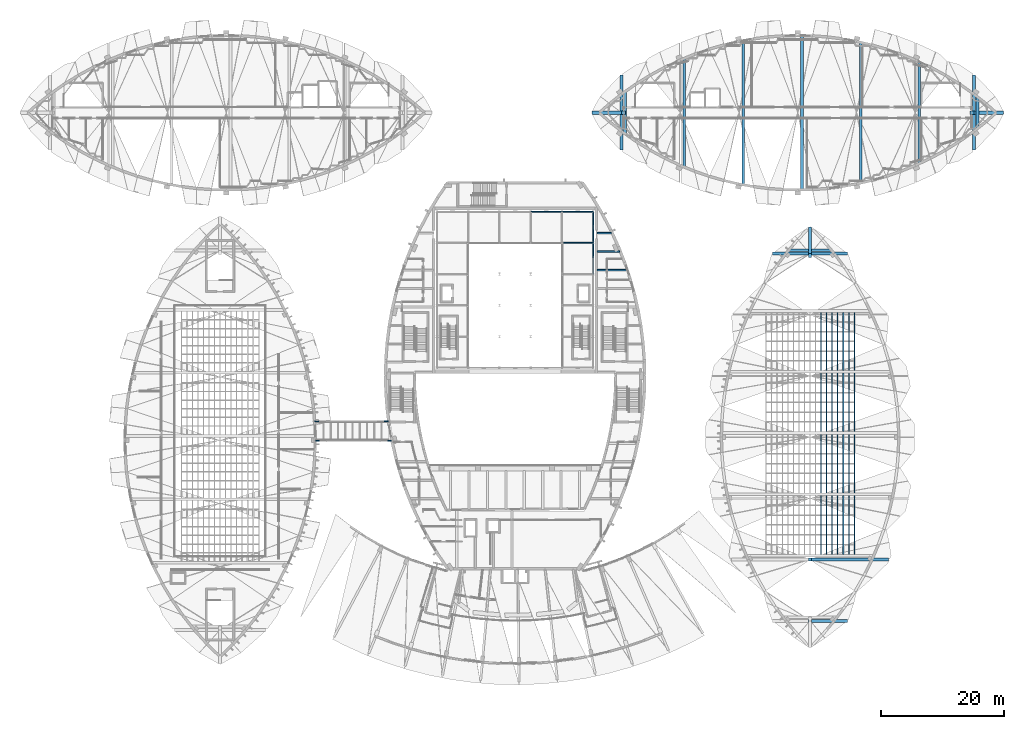
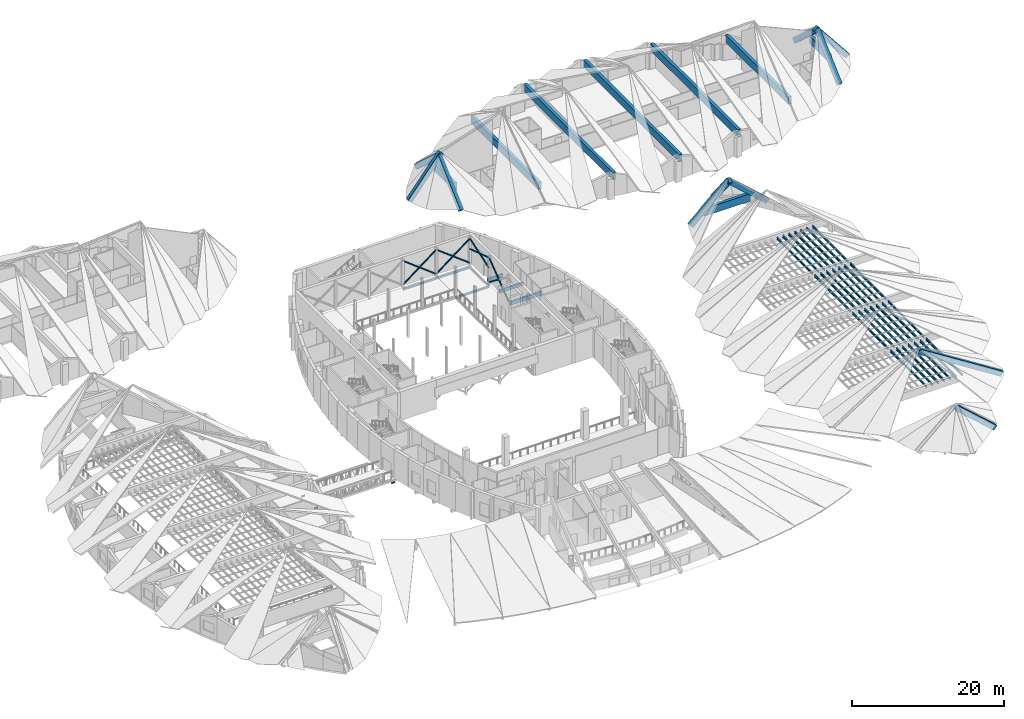
# One storey, part 20 of 56: 54 beams, 15 members.
"""IFC4 building model written with IfcOpenShell, lengths in metres."""

from ifc_helpers import new_model, si_unit, direction, frame, origin, origin_2d, place, context, subcontext, project, spatial, rectangle, hollow_circle, i_section, extrude, material, material_profile, profile_set, type_object, element, save


model = new_model("IFC4")

# Units and contexts
model_context = context("Model", 3, precision=1e-05, world=origin(), true_north=direction((0.0, 1.0)))
body_context = subcontext(model_context, "Body", "Model", "MODEL_VIEW")
ifc_project = project(units=[si_unit("LENGTHUNIT", "METRE"), si_unit("AREAUNIT", "SQUARE_METRE"), si_unit("VOLUMEUNIT", "CUBIC_METRE"), si_unit("PLANEANGLEUNIT", "RADIAN"), si_unit("MASSUNIT", "GRAM", prefix="KILO")], contexts=[model_context])

# Site, building, storey
site_placement = place(None, origin())
site = spatial("IfcSite", under=ifc_project, at=site_placement, CompositionType="ELEMENT")
building_placement = place(site_placement, origin())
building = spatial("IfcBuilding", under=site, at=building_placement, Name="Tide Square Theatres", CompositionType="ELEMENT")
storey_placement = place(building_placement, frame((0.0, 0.0, 10.199951171875)))
storey = spatial("IfcBuildingStorey", under=building, at=storey_placement, Name="L02", CompositionType="ELEMENT", Elevation=10.199951171875)

# Beams
ifc_material_1 = material(Name="Concrete C35", Category="concrete")
ifc_material_profile_1 = material_profile(ifc_material_1, rectangle(XDim=0.25, YDim=0.5, at=origin_2d()))
ifc_profile_set_1 = profile_set([ifc_material_profile_1], Name="Concrete C35")
beam_type_1 = type_object("IfcBeamType", Name="RC beam 250 x 500", PredefinedType="BEAM", material=ifc_profile_set_1)
beam_1_placement = place(storey_placement, frame((97.35009765625, 75.199951171875, -0.5), z_axis=(1.0, 0.0, 0.0), x_axis=(0.0, 1.0, 0.0)))
element("IfcBeam", 1, at=beam_1_placement, inside=storey, type_object=beam_type_1, Name="Floor beam", PredefinedType="BEAM", context=body_context, shape_type="SweptSolid", body=[
    extrude(rectangle(XDim=0.25, YDim=0.5, at=origin_2d()), origin(), (0.0, 0.0, 1.0), 3.663330078125),
])
beam_2_placement = place(storey_placement, frame((97.35009765625, 78.199951171875, -0.5), z_axis=(1.0, 0.0, 0.0), x_axis=(0.0, 1.0, 0.0)))
element("IfcBeam", 2, at=beam_2_placement, inside=storey, type_object=beam_type_1, Name="Floor beam", PredefinedType="BEAM", context=body_context, shape_type="SweptSolid", body=[
    extrude(rectangle(XDim=0.25, YDim=0.5, at=origin_2d()), origin(), (0.0, 0.0, 1.0), 2.335205078125),
])
ifc_material_2 = material(Name="Concrete C35", Category="concrete")
ifc_material_profile_2 = material_profile(ifc_material_2, rectangle(XDim=0.300048828125, YDim=0.60009765625, at=origin_2d()))
ifc_profile_set_2 = profile_set([ifc_material_profile_2], Name="Concrete C35")
beam_type_2 = type_object("IfcBeamType", Name="RC beam 300 x 600", PredefinedType="BEAM", material=ifc_profile_set_2)
beam_3_placement = place(storey_placement, frame((97.35009765625, 72.199951171875, -0.550048828125), z_axis=(1.0, 0.0, 0.0), x_axis=(0.0, 1.0, 0.0)))
element("IfcBeam", 3, at=beam_3_placement, inside=storey, type_object=beam_type_2, Name="Floor beam", PredefinedType="BEAM", context=body_context, shape_type="SweptSolid", body=[
    extrude(rectangle(XDim=0.300048828125, YDim=0.60009765625, at=origin_2d()), origin(), (0.0, 0.0, 1.0), 4.779052734375),
])
ifc_material_3 = material(Name="Concrete C40", Category="concrete")
ifc_material_profile_3 = material_profile(ifc_material_3, rectangle(XDim=0.449951171875, YDim=1.199951171875, at=origin_2d()))
ifc_profile_set_3 = profile_set([ifc_material_profile_3], Name="Concrete C40")
beam_type_3 = type_object("IfcBeamType", Name="RC eaves tie beam 450 x 1200", PredefinedType="BEAM", material=ifc_profile_set_3)
beam_4_placement = place(storey_placement, frame((135.486328125, 75.406982421875, 1.23828125), z_axis=(-1.0, 0.0, 0.0), x_axis=(0.0, -1.0, 0.0)))
element("IfcBeam", 4, at=beam_4_placement, inside=storey, type_object=beam_type_3, Name="Eaves tie beam blackbox 6", PredefinedType="BEAM", context=body_context, shape_type="SweptSolid", body=[
    extrude(rectangle(XDim=0.449951171875, YDim=1.199951171875, at=origin_2d()), origin(), (0.0, 0.0, 1.0), 6.97265625),
])
beam_5_placement = place(storey_placement, frame((101.8916015625, 94.387939453125, 3.09814453125), z_axis=(0.0, 1.0, 0.0), x_axis=(-1.0, 0.0, 0.0)))
element("IfcBeam", 5, at=beam_5_placement, inside=storey, type_object=beam_type_3, Name="Eaves tie beam rehearsal 0", PredefinedType="BEAM", context=body_context, shape_type="SweptSolid", body=[
    extrude(rectangle(XDim=0.449951171875, YDim=1.199951171875, at=origin_2d()), origin(), (0.0, 0.0, 1.0), 6.82421875),
])
beam_6_placement = place(storey_placement, frame((111.529052734375, 88.958740234375, 3.1064453125), z_axis=(0.0, 1.0, 0.0), x_axis=(-1.0, 0.0, 0.0)))
element("IfcBeam", 6, at=beam_6_placement, inside=storey, type_object=beam_type_3, Name="Eaves tie beam rehearsal 1", PredefinedType="BEAM", context=body_context, shape_type="SweptSolid", body=[
    extrude(rectangle(XDim=0.449951171875, YDim=1.199951171875, at=origin_2d()), origin(), (0.0, 0.0, 1.0), 17.6826171875),
])
beam_7_placement = place(storey_placement, frame((121.12939453125, 86.07421875, 3.10498046875), z_axis=(0.0, 1.0, 0.0), x_axis=(-1.0, 0.0, 0.0)))
element("IfcBeam", 7, at=beam_7_placement, inside=storey, type_object=beam_type_3, Name="Eaves tie beam rehearsal 2", PredefinedType="BEAM", context=body_context, shape_type="SweptSolid", body=[
    extrude(rectangle(XDim=0.449951171875, YDim=1.199951171875, at=origin_2d()), origin(), (0.0, 0.0, 1.0), 23.451416015625),
])
beam_8_placement = place(storey_placement, frame((130.69970703125, 85.248779296875, 3.100830078125), z_axis=(0.0, 1.0, 0.0), x_axis=(-1.0, 0.0, 0.0)))
element("IfcBeam", 8, at=beam_8_placement, inside=storey, type_object=beam_type_3, Name="Eaves tie beam rehearsal 3", PredefinedType="BEAM", context=body_context, shape_type="SweptSolid", body=[
    extrude(rectangle(XDim=0.449951171875, YDim=1.199951171875, at=origin_2d()), origin(), (0.0, 0.0, 1.0), 25.102294921875),
])
beam_9_placement = place(storey_placement, frame((140.24169921875, 86.35498046875, 3.09765625), z_axis=(0.0, 1.0, 0.0), x_axis=(-1.0, 0.0, 0.0)))
element("IfcBeam", 9, at=beam_9_placement, inside=storey, type_object=beam_type_3, Name="Eaves tie beam rehearsal 4", PredefinedType="BEAM", context=body_context, shape_type="SweptSolid", body=[
    extrude(rectangle(XDim=0.449951171875, YDim=1.199951171875, at=origin_2d()), origin(), (0.0, 0.0, 1.0), 22.89013671875),
])
beam_10_placement = place(storey_placement, frame((149.7529296875, 89.520263671875, 3.075439453125), z_axis=(0.0, 1.0, 0.0), x_axis=(-1.0, 0.0, 0.0)))
element("IfcBeam", 10, at=beam_10_placement, inside=storey, type_object=beam_type_3, Name="Eaves tie beam rehearsal 5", PredefinedType="BEAM", context=body_context, shape_type="SweptSolid", body=[
    extrude(rectangle(XDim=0.449951171875, YDim=1.199951171875, at=origin_2d()), origin(), (0.0, 0.0, 1.0), 16.559326171875),
])
beam_11_placement = place(storey_placement, frame((159.229248046875, 95.225830078125, 2.98486328125), z_axis=(0.0, 1.0, 0.0), x_axis=(-1.0, 0.0, 0.0)))
element("IfcBeam", 11, at=beam_11_placement, inside=storey, type_object=beam_type_3, Name="Eaves tie beam rehearsal 6", PredefinedType="BEAM", context=body_context, shape_type="SweptSolid", body=[
    extrude(rectangle(XDim=0.449951171875, YDim=1.199951171875, at=origin_2d()), origin(), (0.0, 0.0, 1.0), 5.1484375),
])
ifc_material_4 = material(Name="Concrete C40", Category="concrete")
ifc_material_profile_4 = material_profile(ifc_material_4, rectangle(XDim=0.5, YDim=0.800048828125, at=origin_2d()))
ifc_profile_set_4 = profile_set([ifc_material_profile_4], Name="Concrete C40")
beam_type_4 = type_object("IfcBeamType", Name="RC roof rib 500 x 800", PredefinedType="BEAM", material=ifc_profile_set_4)
beam_12_placement = place(storey_placement, frame((137.822265625, 15.125, 0.022216796875), z_axis=(-0.745301918978, 0.0, 0.666727117769), x_axis=(0.0, -1.0, 0.0)))
element("IfcBeam", 12, at=beam_12_placement, inside=storey, type_object=beam_type_4, Name="Roof rib blackbox R0", PredefinedType="BEAM", context=body_context, shape_type="SweptSolid", body=[
    extrude(rectangle(XDim=0.5, YDim=0.800048828125, at=origin_2d()), origin(), (0.0, 0.0, 1.0), 7.9013671875),
])
beam_13_placement = place(storey_placement, frame((144.577880859375, 25.083740234375, 0.272705078125), z_axis=(-0.844123465189, 0.0, 0.536148837093), x_axis=(0.0, -1.0, 0.0)))
element("IfcBeam", 13, at=beam_13_placement, inside=storey, type_object=beam_type_4, Name="Roof rib blackbox R1", PredefinedType="BEAM", context=body_context, shape_type="SweptSolid", body=[
    extrude(rectangle(XDim=0.5, YDim=0.800048828125, at=origin_2d()), origin(), (0.0, 0.0, 1.0), 14.91748046875),
])
for number, where, z_axis, x_axis, name in (
    (14, (137.822265625, 74.875, 0.140869140625), (-0.745301918978, 0.0, 0.666727117769), (0.0, -1.0, 0.0), "Roof rib blackbox R6"),
    (15, (126.177734375, 74.875, 0.140869140625), (0.745301918978, 0.0, 0.666727117769), (0.0, 1.0, 0.0), "Roof rib blackbox L6"),
):
    element("IfcBeam", number, at=place(storey_placement, frame(where, z_axis=z_axis, x_axis=x_axis)), inside=storey, type_object=beam_type_4, Name=name, PredefinedType="BEAM", context=body_context, shape_type="SweptSolid", body=[
        extrude(rectangle(XDim=0.5, YDim=0.800048828125, at=origin_2d()), origin(), (0.0, 0.0, 1.0), 7.9013671875),
    ])
for number, where, z_axis, x_axis, name in (
    (16, (101.31982421875, 91.964599609375, 0.92333984375), (0.0, 0.739686764471, 0.672951328453), (-1.0, 0.0, 0.0), "Roof rib rehearsal R0"),
    (17, (158.68017578125, 91.964599609375, 1.0537109375), (0.0, 0.739701988752, 0.672934594026), (-1.0, 0.0, 0.0), "Roof rib rehearsal R6"),
):
    element("IfcBeam", number, at=place(storey_placement, frame(where, z_axis=z_axis, x_axis=x_axis)), inside=storey, type_object=beam_type_4, Name=name, PredefinedType="BEAM", context=body_context, shape_type="SweptSolid", body=[
        extrude(rectangle(XDim=0.5, YDim=0.800048828125, at=origin_2d()), origin(), (0.0, 0.0, 1.0), 7.982421875),
    ])
beam_14_placement = place(storey_placement, frame((101.31982421875, 103.635498046875, 0.92333984375), z_axis=(0.0, -0.739700614616, 0.672936104498), x_axis=(1.0, 0.0, 0.0)))
element("IfcBeam", 18, at=beam_14_placement, inside=storey, type_object=beam_type_4, Name="Roof rib rehearsal L0", PredefinedType="BEAM", context=body_context, shape_type="SweptSolid", body=[
    extrude(rectangle(XDim=0.5, YDim=0.800048828125, at=origin_2d()), origin(), (0.0, 0.0, 1.0), 7.982666015625),
])
beam_15_placement = place(storey_placement, frame((158.68017578125, 103.635498046875, 1.0537109375), z_axis=(0.0, -0.739715838493, 0.672919369823), x_axis=(1.0, 0.0, 0.0)))
element("IfcBeam", 19, at=beam_15_placement, inside=storey, type_object=beam_type_4, Name="Roof rib rehearsal L6", PredefinedType="BEAM", context=body_context, shape_type="SweptSolid", body=[
    extrude(rectangle(XDim=0.5, YDim=0.800048828125, at=origin_2d()), origin(), (0.0, 0.0, 1.0), 7.982421875),
])
ifc_material_5 = material(Name="Concrete C40", Category="concrete")
ifc_material_profile_5 = material_profile(ifc_material_5, rectangle(XDim=0.5, YDim=0.800048828125, at=origin_2d()))
ifc_profile_set_5 = profile_set([ifc_material_profile_5], Name="Concrete C40")
beam_type_5 = type_object("IfcBeamType", Name="RC roof ridge beam 500 x 800", PredefinedType="BEAM", material=ifc_profile_set_5)
beam_16_placement = place(storey_placement, frame((132.0, 74.564697265625, 5.595458984375), z_axis=(0.0, 0.631561893264, -0.775325463903), x_axis=(-1.0, 0.0, 0.0)))
element("IfcBeam", 20, at=beam_16_placement, inside=storey, type_object=beam_type_5, Name="Hip beam blackbox", PredefinedType="BEAM", context=body_context, shape_type="SweptSolid", body=[
    extrude(rectangle(XDim=0.5, YDim=0.800048828125, at=origin_2d()), origin(), (0.0, 0.0, 1.0), 6.89990234375),
])
for number, where, z_axis, x_axis, name in (
    (21, (101.632568359375, 97.800048828125, 6.609375), (-0.623341681974, 0.0, -0.781949581184), (0.0, -1.0, 0.0), "Hip beam rehearsal"),
    (22, (158.367431640625, 97.800048828125, 6.609375), (0.623341681974, 0.0, -0.781949581184), (0.0, 1.0, 0.0), "Hip beam rehearsal"),
):
    element("IfcBeam", number, at=place(storey_placement, frame(where, z_axis=z_axis, x_axis=x_axis)), inside=storey, type_object=beam_type_5, Name=name, PredefinedType="BEAM", context=body_context, shape_type="SweptSolid", body=[
        extrude(rectangle(XDim=0.5, YDim=0.800048828125, at=origin_2d()), origin(), (0.0, 0.0, 1.0), 7.72705078125),
    ])
ifc_material_6 = material(Name="Steel ASTM A572 Grade 50", Category="steel")
ifc_material_profile_6 = material_profile(ifc_material_6, i_section(OverallWidth=0.1650390625, OverallDepth=0.31005859375, WebThickness=0.005859375, FlangeThickness=0.009765625, FilletRadius=0.010009765625, at=origin_2d()))
ifc_profile_set_6 = profile_set([ifc_material_profile_6], Name="Steel ASTM A572 Grade 50")
beam_type_6 = type_object("IfcBeamType", Name="Steel beam W 310 x 38.7", PredefinedType="BEAM", material=ifc_profile_set_6)
for number, where, z_axis, x_axis, name in (
    (23, (96.72412109375, 76.634521484375, -0.35498046875), (0.0, 1.0, 0.0), (-1.0, 0.0, 0.0), "Fly gallery beam"),
    (24, (91.634521484375, 76.634521484375, -0.35498046875), (1.0, 0.0, 0.0), (0.0, 1.0, 0.0), "Fly gallery cross beam"),
    (25, (91.634521484375, 81.72412109375, -0.35498046875), (1.0, 0.0, 0.0), (0.0, 1.0, 0.0), "Fly gallery cross beam"),
    (26, (86.544921875, 81.72412109375, -0.35498046875), (1.0, 0.0, 0.0), (0.0, 1.0, 0.0), "Fly gallery beam"),
):
    element("IfcBeam", number, at=place(storey_placement, frame(where, z_axis=z_axis, x_axis=x_axis)), inside=storey, type_object=beam_type_6, Name=name, PredefinedType="BEAM", context=body_context, shape_type="SweptSolid", body=[
        extrude(i_section(OverallWidth=0.1650390625, OverallDepth=0.31005859375, WebThickness=0.005859375, FlangeThickness=0.009765625, FilletRadius=0.010009765625, at=origin_2d()), origin(), (0.0, 0.0, 1.0), 5.089599609375),
    ])
ifc_material_7 = material(Name="Steel ASTM A572 Grade 50", Category="steel")
ifc_material_profile_7 = material_profile(ifc_material_7, i_section(OverallWidth=0.1708984375, OverallDepth=0.35498046875, WebThickness=0.007080078125, FlangeThickness=0.01171875, FilletRadius=0.011962890625, at=origin_2d()))
ifc_profile_set_7 = profile_set([ifc_material_profile_7], Name="Steel ASTM A572 Grade 50")
beam_type_7 = type_object("IfcBeamType", Name="Steel beam W 360 x 51.0", PredefinedType="BEAM", material=ifc_profile_set_7)
for number, where, z_axis, x_axis, name in (
    (27, (139.199951171875, 25.952880859375, 1.320556640625), (0.0, 1.0, 0.0), (-1.0, 0.0, 0.0), "Black Box Theatre rigging grid girder"),
    (28, (138.300048828125, 25.952880859375, 1.320556640625), (0.0, 1.0, 0.0), (-1.0, 0.0, 0.0), "Black Box Theatre rigging grid girder"),
    (29, (137.39990234375, 25.952880859375, 1.320556640625), (0.0, 1.0, 0.0), (-1.0, 0.0, 0.0), "Black Box Theatre rigging grid girder"),
    (30, (136.5, 25.952880859375, 1.320556640625), (0.0, 1.0, 0.0), (-1.0, 0.0, 0.0), "Black Box Theatre rigging grid girder"),
    (31, (135.60009765625, 25.952880859375, 1.320556640625), (0.0, 1.0, 0.0), (-1.0, 0.0, 0.0), "Black Box Theatre rigging grid girder"),
    (32, (134.699951171875, 25.952880859375, 1.320556640625), (0.0, 1.0, 0.0), (-1.0, 0.0, 0.0), "Black Box Theatre rigging grid girder"),
    (33, (133.800048828125, 25.952880859375, 1.320556640625), (0.0, 1.0, 0.0), (-1.0, 0.0, 0.0), "Black Box Theatre rigging grid girder"),
):
    element("IfcBeam", number, at=place(storey_placement, frame(where, z_axis=z_axis, x_axis=x_axis)), inside=storey, type_object=beam_type_7, Name=name, PredefinedType="BEAM", context=body_context, shape_type="SweptSolid", body=[
        extrude(i_section(OverallWidth=0.1708984375, OverallDepth=0.35498046875, WebThickness=0.007080078125, FlangeThickness=0.01171875, FilletRadius=0.011962890625, at=origin_2d()), origin(), (0.0, 0.0, 1.0), 9.552001953125),
    ])
for number, where, z_axis, x_axis, name in (
    (34, (139.199951171875, 35.955078125, 1.316650390625), (0.0, 1.0, 0.0), (-1.0, 0.0, 0.0), "Black Box Theatre rigging grid girder"),
    (35, (138.300048828125, 35.955078125, 1.316650390625), (0.0, 1.0, 0.0), (-1.0, 0.0, 0.0), "Black Box Theatre rigging grid girder"),
    (36, (137.39990234375, 35.955078125, 1.316650390625), (0.0, 1.0, 0.0), (-1.0, 0.0, 0.0), "Black Box Theatre rigging grid girder"),
    (37, (136.5, 35.955078125, 1.316650390625), (0.0, 1.0, 0.0), (-1.0, 0.0, 0.0), "Black Box Theatre rigging grid girder"),
    (38, (135.60009765625, 35.955078125, 1.316650390625), (0.0, 1.0, 0.0), (-1.0, 0.0, 0.0), "Black Box Theatre rigging grid girder"),
    (39, (134.699951171875, 35.955078125, 1.316650390625), (0.0, 1.0, 0.0), (-1.0, 0.0, 0.0), "Black Box Theatre rigging grid girder"),
    (40, (133.800048828125, 35.955078125, 1.316650390625), (0.0, 1.0, 0.0), (-1.0, 0.0, 0.0), "Black Box Theatre rigging grid girder"),
):
    element("IfcBeam", number, at=place(storey_placement, frame(where, z_axis=z_axis, x_axis=x_axis)), inside=storey, type_object=beam_type_7, Name=name, PredefinedType="BEAM", context=body_context, shape_type="SweptSolid", body=[
        extrude(i_section(OverallWidth=0.1708984375, OverallDepth=0.35498046875, WebThickness=0.007080078125, FlangeThickness=0.01171875, FilletRadius=0.011962890625, at=origin_2d()), origin(), (0.0, 0.0, 1.0), 9.519775390625),
    ])
for number, where, z_axis, x_axis, name in (
    (41, (139.199951171875, 45.9248046875, 1.3134765625), (0.0, 1.0, 0.0), (-1.0, 0.0, 0.0), "Black Box Theatre rigging grid girder"),
    (42, (138.300048828125, 45.9248046875, 1.3134765625), (0.0, 1.0, 0.0), (-1.0, 0.0, 0.0), "Black Box Theatre rigging grid girder"),
    (43, (137.39990234375, 45.9248046875, 1.3134765625), (0.0, 1.0, 0.0), (-1.0, 0.0, 0.0), "Black Box Theatre rigging grid girder"),
    (44, (136.5, 45.9248046875, 1.3134765625), (0.0, 1.0, 0.0), (-1.0, 0.0, 0.0), "Black Box Theatre rigging grid girder"),
    (45, (135.60009765625, 45.9248046875, 1.3134765625), (0.0, 1.0, 0.0), (-1.0, 0.0, 0.0), "Black Box Theatre rigging grid girder"),
    (46, (134.699951171875, 45.9248046875, 1.3134765625), (0.0, 1.0, 0.0), (-1.0, 0.0, 0.0), "Black Box Theatre rigging grid girder"),
    (47, (133.800048828125, 45.9248046875, 1.3134765625), (0.0, 1.0, 0.0), (-1.0, 0.0, 0.0), "Black Box Theatre rigging grid girder"),
):
    element("IfcBeam", number, at=place(storey_placement, frame(where, z_axis=z_axis, x_axis=x_axis)), inside=storey, type_object=beam_type_7, Name=name, PredefinedType="BEAM", context=body_context, shape_type="SweptSolid", body=[
        extrude(i_section(OverallWidth=0.1708984375, OverallDepth=0.35498046875, WebThickness=0.007080078125, FlangeThickness=0.01171875, FilletRadius=0.011962890625, at=origin_2d()), origin(), (0.0, 0.0, 1.0), 9.48876953125),
    ])
for number, where, z_axis, x_axis, name in (
    (48, (139.199951171875, 55.863525390625, 1.3046875), (0.0, 1.0, 0.0), (-1.0, 0.0, 0.0), "Black Box Theatre rigging grid girder"),
    (49, (138.300048828125, 55.863525390625, 1.3046875), (0.0, 1.0, 0.0), (-1.0, 0.0, 0.0), "Black Box Theatre rigging grid girder"),
    (50, (137.39990234375, 55.863525390625, 1.3046875), (0.0, 1.0, 0.0), (-1.0, 0.0, 0.0), "Black Box Theatre rigging grid girder"),
    (51, (136.5, 55.863525390625, 1.3046875), (0.0, 1.0, 0.0), (-1.0, 0.0, 0.0), "Black Box Theatre rigging grid girder"),
    (52, (135.60009765625, 55.863525390625, 1.3046875), (0.0, 1.0, 0.0), (-1.0, 0.0, 0.0), "Black Box Theatre rigging grid girder"),
    (53, (134.699951171875, 55.863525390625, 1.3046875), (0.0, 1.0, 0.0), (-1.0, 0.0, 0.0), "Black Box Theatre rigging grid girder"),
    (54, (133.800048828125, 55.863525390625, 1.3046875), (0.0, 1.0, 0.0), (-1.0, 0.0, 0.0), "Black Box Theatre rigging grid girder"),
):
    element("IfcBeam", number, at=place(storey_placement, frame(where, z_axis=z_axis, x_axis=x_axis)), inside=storey, type_object=beam_type_7, Name=name, PredefinedType="BEAM", context=body_context, shape_type="SweptSolid", body=[
        extrude(i_section(OverallWidth=0.1708984375, OverallDepth=0.35498046875, WebThickness=0.007080078125, FlangeThickness=0.01171875, FilletRadius=0.011962890625, at=origin_2d()), origin(), (0.0, 0.0, 1.0), 9.454833984375),
    ])

# Members
ifc_material_8 = material(Name="Steel ASTM A500 Grade C", Category="steel")
ifc_material_profile_8 = material_profile(ifc_material_8, hollow_circle(Radius=0.109619140625, WallThickness=0.010009765625, at=origin_2d()))
ifc_profile_set_8 = profile_set([ifc_material_profile_8], Name="Steel ASTM A500 Grade C")
member_type_1 = type_object("IfcMemberType", Name="Steel brace CHS 219.1 x 10.0", PredefinedType="BRACE", material=ifc_profile_set_8)
member_1_placement = place(storey_placement, frame((86.544921875, 81.72412109375, 0.35009765625), z_axis=(0.793766284219, 0.0, 0.60822289174), x_axis=(0.0, 1.0, 0.0)))
element("IfcMember", 55, at=member_1_placement, inside=storey, type_object=member_type_1, Name="Fly tower brace", PredefinedType="BRACE", context=body_context, shape_type="SweptSolid", body=[
    extrude(hollow_circle(Radius=0.109619140625, WallThickness=0.010009765625, at=origin_2d()), origin(), (0.0, 0.0, 1.0), 6.411865234375),
])
member_2_placement = place(storey_placement, frame((91.634521484375, 81.72412109375, 0.35009765625), z_axis=(-0.793809605674, 0.0, 0.608166350549), x_axis=(0.0, -1.0, 0.0)))
element("IfcMember", 56, at=member_2_placement, inside=storey, type_object=member_type_1, Name="Fly tower brace", PredefinedType="BRACE", context=body_context, shape_type="SweptSolid", body=[
    extrude(hollow_circle(Radius=0.109619140625, WallThickness=0.010009765625, at=origin_2d()), origin(), (0.0, 0.0, 1.0), 3.073486328125),
])
member_3_placement = place(storey_placement, frame((88.984375, 81.72412109375, 2.380859375), z_axis=(-0.793780221985, 0.0, 0.608204701713), x_axis=(0.0, -1.0, 0.0)))
element("IfcMember", 57, at=member_3_placement, inside=storey, type_object=member_type_1, Name="Fly tower brace", PredefinedType="BRACE", context=body_context, shape_type="SweptSolid", body=[
    extrude(hollow_circle(Radius=0.109619140625, WallThickness=0.010009765625, at=origin_2d()), origin(), (0.0, 0.0, 1.0), 3.0732421875),
])
member_4_placement = place(storey_placement, frame((91.634521484375, 81.72412109375, 0.35009765625), z_axis=(0.793766284219, 0.0, 0.60822289174), x_axis=(0.0, 1.0, 0.0)))
element("IfcMember", 58, at=member_4_placement, inside=storey, type_object=member_type_1, Name="Fly tower brace", PredefinedType="BRACE", context=body_context, shape_type="SweptSolid", body=[
    extrude(hollow_circle(Radius=0.109619140625, WallThickness=0.010009765625, at=origin_2d()), origin(), (0.0, 0.0, 1.0), 6.411865234375),
])
member_5_placement = place(storey_placement, frame((96.72412109375, 81.72412109375, 0.35009765625), z_axis=(-0.793809605674, 0.0, 0.608166350549), x_axis=(0.0, -1.0, 0.0)))
element("IfcMember", 59, at=member_5_placement, inside=storey, type_object=member_type_1, Name="Fly tower brace", PredefinedType="BRACE", context=body_context, shape_type="SweptSolid", body=[
    extrude(hollow_circle(Radius=0.109619140625, WallThickness=0.010009765625, at=origin_2d()), origin(), (0.0, 0.0, 1.0), 3.073486328125),
])
member_6_placement = place(storey_placement, frame((94.073974609375, 81.72412109375, 2.380859375), z_axis=(-0.793780221985, 0.0, 0.608204701713), x_axis=(0.0, -1.0, 0.0)))
element("IfcMember", 60, at=member_6_placement, inside=storey, type_object=member_type_1, Name="Fly tower brace", PredefinedType="BRACE", context=body_context, shape_type="SweptSolid", body=[
    extrude(hollow_circle(Radius=0.109619140625, WallThickness=0.010009765625, at=origin_2d()), origin(), (0.0, 0.0, 1.0), 3.0732421875),
])
member_7_placement = place(storey_placement, frame((96.72412109375, 71.544921875, 0.35009765625), z_axis=(0.0, 0.793766284219, 0.60822289174), x_axis=(-1.0, 0.0, 0.0)))
element("IfcMember", 61, at=member_7_placement, inside=storey, type_object=member_type_1, Name="Fly tower brace", PredefinedType="BRACE", context=body_context, shape_type="SweptSolid", body=[
    extrude(hollow_circle(Radius=0.109619140625, WallThickness=0.010009765625, at=origin_2d()), origin(), (0.0, 0.0, 1.0), 6.411865234375),
])
member_8_placement = place(storey_placement, frame((96.72412109375, 76.634521484375, 0.35009765625), z_axis=(0.0, -0.793809605674, 0.608166350549), x_axis=(1.0, 0.0, 0.0)))
element("IfcMember", 62, at=member_8_placement, inside=storey, type_object=member_type_1, Name="Fly tower brace", PredefinedType="BRACE", context=body_context, shape_type="SweptSolid", body=[
    extrude(hollow_circle(Radius=0.109619140625, WallThickness=0.010009765625, at=origin_2d()), origin(), (0.0, 0.0, 1.0), 3.073486328125),
])
member_9_placement = place(storey_placement, frame((96.72412109375, 76.634521484375, 2.60009765625), z_axis=(0.0, 0.951265515207, 0.308373020184), x_axis=(-1.0, 0.0, 0.0)))
element("IfcMember", 63, at=member_9_placement, inside=storey, type_object=member_type_1, Name="Fly tower brace", PredefinedType="BRACE", context=body_context, shape_type="SweptSolid", body=[
    extrude(hollow_circle(Radius=0.109619140625, WallThickness=0.010009765625, at=origin_2d()), origin(), (0.0, 0.0, 1.0), 5.350341796875),
])
member_10_placement = place(storey_placement, frame((96.72412109375, 81.72412109375, 2.60009765625), z_axis=(0.0, -0.951273206238, 0.308349293974), x_axis=(1.0, 0.0, 0.0)))
element("IfcMember", 64, at=member_10_placement, inside=storey, type_object=member_type_1, Name="Fly tower brace", PredefinedType="BRACE", context=body_context, shape_type="SweptSolid", body=[
    extrude(hollow_circle(Radius=0.109619140625, WallThickness=0.010009765625, at=origin_2d()), origin(), (0.0, 0.0, 1.0), 2.42041015625),
])
member_11_placement = place(storey_placement, frame((96.72412109375, 78.936767578125, 3.503662109375), z_axis=(0.0, -0.95126361453, 0.30837888331), x_axis=(1.0, 0.0, 0.0)))
element("IfcMember", 65, at=member_11_placement, inside=storey, type_object=member_type_1, Name="Fly tower brace", PredefinedType="BRACE", context=body_context, shape_type="SweptSolid", body=[
    extrude(hollow_circle(Radius=0.109619140625, WallThickness=0.010009765625, at=origin_2d()), origin(), (0.0, 0.0, 1.0), 2.420166015625),
])
ifc_material_9 = material(Name="Steel ASTM A572 Grade 50", Category="steel")
ifc_material_profile_9 = material_profile(ifc_material_9, i_section(OverallWidth=0.14599609375, OverallDepth=0.258056640625, WebThickness=0.006103515625, FlangeThickness=0.009033203125, FilletRadius=0.010009765625, at=origin_2d()))
ifc_profile_set_9 = profile_set([ifc_material_profile_9], Name="Steel ASTM A572 Grade 50")
member_type_2 = type_object("IfcMemberType", Name="Steel seat bracket W 250 x 32.7", PredefinedType="MEMBER", material=ifc_profile_set_9)
member_12_placement = place(storey_placement, frame((51.540283203125, 44.39990234375, -0.578857421875), z_axis=(1.0, 0.0, 0.0), x_axis=(0.0, 1.0, 0.0)))
element("IfcMember", 66, at=member_12_placement, inside=storey, type_object=member_type_2, Name="Bridge BR-W2 seat bracket", PredefinedType="MEMBER", context=body_context, shape_type="SweptSolid", body=[
    extrude(i_section(OverallWidth=0.14599609375, OverallDepth=0.258056640625, WebThickness=0.006103515625, FlangeThickness=0.009033203125, FilletRadius=0.010009765625, at=origin_2d()), origin(), (0.0, 0.0, 1.0), 0.599853515625),
])
for number, where, z_axis, x_axis, name in (
    (67, (63.866943359375, 44.39990234375, -0.578857421875), (-1.0, 0.0, 0.0), (0.0, -1.0, 0.0), "Bridge BR-W2 seat bracket"),
    (68, (51.431640625, 47.60009765625, -0.578857421875), (1.0, 0.0, 0.0), (0.0, 1.0, 0.0), "Bridge BR-W2 seat bracket"),
):
    element("IfcMember", number, at=place(storey_placement, frame(where, z_axis=z_axis, x_axis=x_axis)), inside=storey, type_object=member_type_2, Name=name, PredefinedType="MEMBER", context=body_context, shape_type="SweptSolid", body=[
        extrude(i_section(OverallWidth=0.14599609375, OverallDepth=0.258056640625, WebThickness=0.006103515625, FlangeThickness=0.009033203125, FilletRadius=0.010009765625, at=origin_2d()), origin(), (0.0, 0.0, 1.0), 0.60009765625),
    ])
member_13_placement = place(storey_placement, frame((63.3349609375, 47.60009765625, -0.578857421875), z_axis=(-1.0, 0.0, 0.0), x_axis=(0.0, -1.0, 0.0)))
element("IfcMember", 69, at=member_13_placement, inside=storey, type_object=member_type_2, Name="Bridge BR-W2 seat bracket", PredefinedType="MEMBER", context=body_context, shape_type="SweptSolid", body=[
    extrude(i_section(OverallWidth=0.14599609375, OverallDepth=0.258056640625, WebThickness=0.006103515625, FlangeThickness=0.009033203125, FilletRadius=0.010009765625, at=origin_2d()), origin(), (0.0, 0.0, 1.0), 0.599853515625),
])

save(model, "model.ifc")
